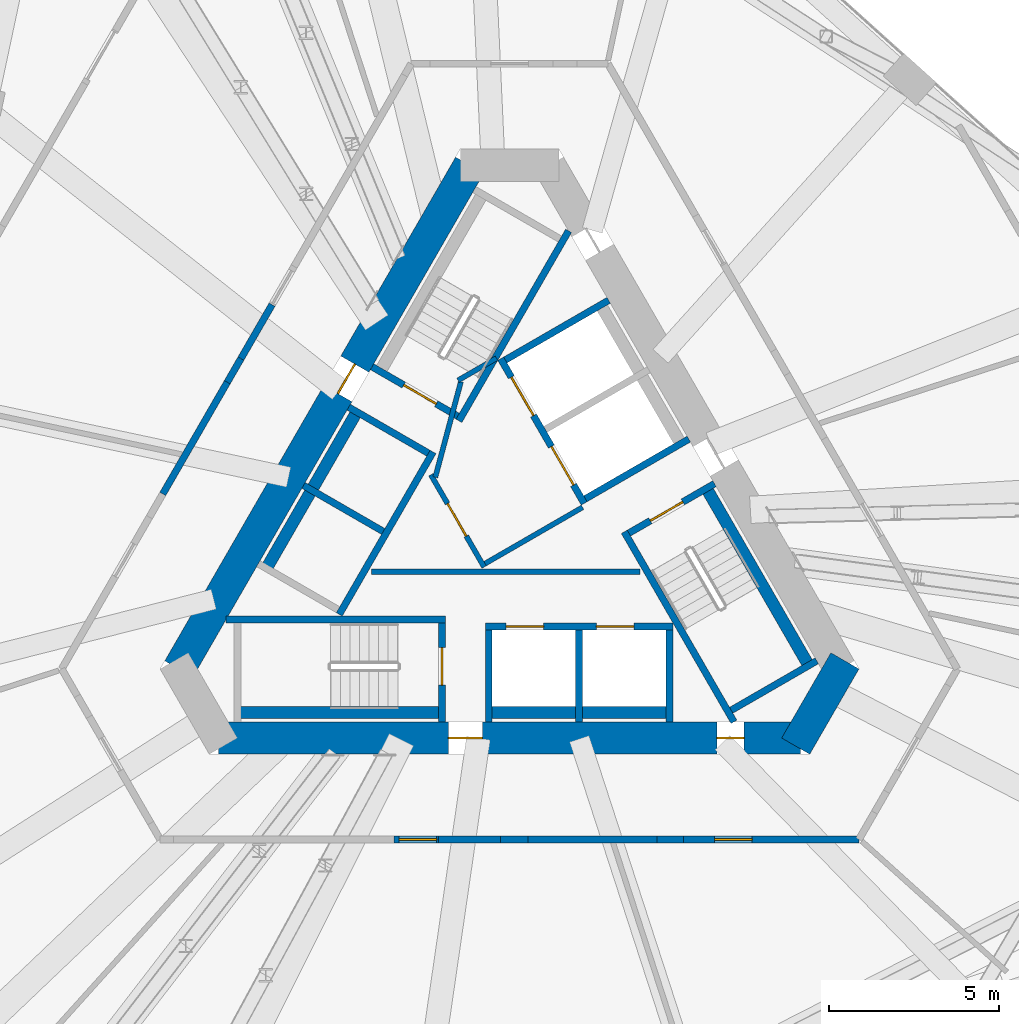
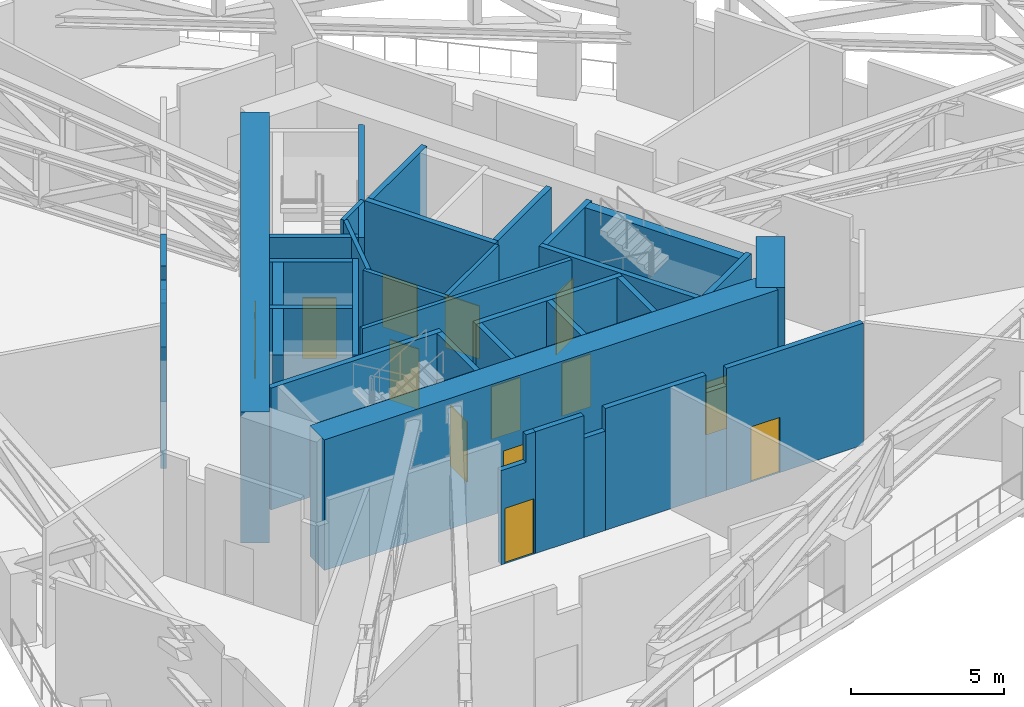
# One storey, part 15 of 24: 38 walls, 13 doors, 13 openings.
"""IFC4 building model written with IfcOpenShell, lengths in metres."""

from ifc_helpers import new_model, si_unit, direction, frame, frame_2d, origin, place, context, subcontext, project, spatial, polyline, rectangle, outline, extrude, material, layer, layer_set, type_object, element, fill, save


model = new_model("IFC4")

# Units and contexts
model_context = context("Model", 3, precision=1e-05, world=origin(), true_north=direction((0.0, 1.0)))
body_context = subcontext(model_context, "Body", "Model", "MODEL_VIEW")
ifc_project = project(units=[si_unit("LENGTHUNIT", "METRE"), si_unit("AREAUNIT", "SQUARE_METRE"), si_unit("VOLUMEUNIT", "CUBIC_METRE"), si_unit("PLANEANGLEUNIT", "RADIAN"), si_unit("MASSUNIT", "GRAM", prefix="KILO")], contexts=[model_context])

# Site, building, storey
site_placement = place(None, origin())
site = spatial("IfcSite", under=ifc_project, at=site_placement, CompositionType="ELEMENT")
building_placement = place(site_placement, origin())
building = spatial("IfcBuilding", under=site, at=building_placement, Name="Tramontana Tower", CompositionType="ELEMENT")
storey_placement = place(building_placement, frame((0.0, 0.0, 120.39990234375)))
storey = spatial("IfcBuildingStorey", under=building, at=storey_placement, Name="L27", CompositionType="ELEMENT", Elevation=120.39990234375)

# Wall, opening, door
ifc_material_1 = material(Name="Concrete 70 MPa", Category="concrete")
ifc_layer_1 = layer(ifc_material_1, 0.949951171875)
ifc_layer_set_1 = layer_set([ifc_layer_1], Name="Core wall 950 70 MPa")
wall_type_1 = type_object("IfcWallType", Name="Core wall 950 70 MPa", PredefinedType="SHEAR", material=ifc_layer_set_1)
wall_1_placement = place(storey_placement, frame((-1.169189453125, 10.52490234375, 0.0), z_axis=(0.0, 0.0, 1.0), x_axis=(-0.499999102847, -0.866025921755, 0.0)))
wall_1 = element("IfcWall", 1, at=wall_1_placement, inside=storey, type_object=wall_type_1, Name="Core wall C1 L27", PredefinedType="SHEAR", context=body_context, shape_type="SweptSolid", body=[
    extrude(rectangle(XDim=17.060546875, YDim=0.949951171875, at=frame_2d((8.5302734375, 0.0))), origin(), (0.0, 0.0, 1.0), 5.2001953125),
])
opening_1_placement = place(wall_1_placement, frame((6.7353515625, 0.0, 0.0)))
opening_1 = element("IfcOpeningElement", 2, at=opening_1_placement, cuts=wall_1, Name="Opening RG1", PredefinedType="OPENING", context=body_context, shape_type="SweptSolid", body=[
    extrude(rectangle(XDim=1.0, YDim=2.39990234375, at=frame_2d((0.5, 1.199951171875))), frame((0.0, 0.48486328125, 0.0), z_axis=(0.0, -1.0, 0.0), x_axis=(1.0, 0.0, 0.0)), (0.0, 0.0, 1.0), 0.969970703125),
])
ifc_material_2 = material(Name="Painted steel", Category="steel")
door_type_1 = type_object("IfcDoorType", Name="RING DOOR 1000", OperationType="SINGLE_SWING_LEFT", PredefinedType="DOOR", material=ifc_material_2)
door_1_placement = place(opening_1_placement, origin())
door_1 = element("IfcDoor", 3, at=door_1_placement, inside=storey, type_object=door_type_1, Name="Door RG1", OperationType="SINGLE_SWING_RIGHT", OverallHeight=2.39990234375, OverallWidth=1.0, PredefinedType="DOOR", context=body_context, shape_type="SweptSolid", body=[
    extrude(rectangle(XDim=1.0, YDim=2.39990234375, at=frame_2d((0.5, 1.199951171875))), frame((0.0, 0.02490234375, 0.0), z_axis=(0.0, -1.0, 0.0), x_axis=(1.0, 0.0, 0.0)), (0.0, 0.0, 1.0), 0.050048828125),
])
fill(opening_1, door_1)

# Wall, openings, doors
wall_2_placement = place(storey_placement, frame((-8.530517578125, -6.27490234375, 0.0), z_axis=(0.0, 0.0, 1.0), x_axis=(1.0, 0.0, 0.0)))
wall_2 = element("IfcWall", 4, at=wall_2_placement, inside=storey, type_object=wall_type_1, Name="Core wall C3 L27", PredefinedType="SHEAR", context=body_context, shape_type="SweptSolid", body=[
    extrude(rectangle(XDim=17.06103515625, YDim=0.949951171875, at=frame_2d((8.530517578125, 0.0))), origin(), (0.0, 0.0, 1.0), 5.2001953125),
])
opening_2_placement = place(wall_2_placement, frame((6.7353515625, 0.0, 0.0)))
opening_2 = element("IfcOpeningElement", 5, at=opening_2_placement, cuts=wall_2, Name="Opening RG2", PredefinedType="OPENING", context=body_context, shape_type="SweptSolid", body=[
    extrude(rectangle(XDim=1.0, YDim=2.39990234375, at=frame_2d((0.5, 1.199951171875))), frame((0.0, 0.48486328125, 0.0), z_axis=(0.0, -1.0, 0.0), x_axis=(1.0, 0.0, 0.0)), (0.0, 0.0, 1.0), 0.969970703125),
])
opening_3_placement = place(wall_2_placement, frame((14.61279296875, 0.0, 0.0)))
opening_3 = element("IfcOpeningElement", 6, at=opening_3_placement, cuts=wall_2, Name="Opening PD2", PredefinedType="OPENING", context=body_context, shape_type="SweptSolid", body=[
    extrude(rectangle(XDim=0.800048828125, YDim=2.10009765625, at=frame_2d((0.39990234375, 1.050048828125))), frame((0.0, 0.48486328125, 0.0), z_axis=(0.0, -1.0, 0.0), x_axis=(1.0, 0.0, 0.0)), (0.0, 0.0, 1.0), 0.969970703125),
])
ifc_material_3 = material(Name="Painted steel", Category="steel")
door_type_2 = type_object("IfcDoorType", Name="CUPBOARD DOOR 800", OperationType="SINGLE_SWING_LEFT", PredefinedType="DOOR", material=ifc_material_3)
door_2_placement = place(opening_3_placement, origin())
door_2 = element("IfcDoor", 7, at=door_2_placement, inside=storey, type_object=door_type_2, Name="Door PD2", OperationType="SINGLE_SWING_LEFT", OverallHeight=2.10009765625, OverallWidth=0.800048828125, PredefinedType="DOOR", context=body_context, shape_type="SweptSolid", body=[
    extrude(rectangle(XDim=0.800048828125, YDim=2.10009765625, at=frame_2d((0.39990234375, 1.050048828125))), frame((0.0, 0.02490234375, 0.0), z_axis=(0.0, -1.0, 0.0), x_axis=(1.0, 0.0, 0.0)), (0.0, 0.0, 1.0), 0.050048828125),
])
fill(opening_3, door_2)
door_3_placement = place(opening_2_placement, origin())
door_3 = element("IfcDoor", 8, at=door_3_placement, inside=storey, type_object=door_type_1, Name="Door RG2", OperationType="SINGLE_SWING_LEFT", OverallHeight=2.39990234375, OverallWidth=1.0, PredefinedType="DOOR", context=body_context, shape_type="SweptSolid", body=[
    extrude(rectangle(XDim=1.0, YDim=2.39990234375, at=frame_2d((0.5, 1.199951171875))), frame((0.0, 0.02490234375, 0.0), z_axis=(0.0, -1.0, 0.0), x_axis=(1.0, 0.0, 0.0)), (0.0, 0.0, 1.0), 0.050048828125),
])
fill(opening_2, door_3)

# Wall
wall_3_placement = place(storey_placement, frame((8.393310546875, -6.512451171875, 0.0), z_axis=(0.0, 0.0, 1.0), x_axis=(0.499995765644, 0.866027848477, 0.0)))
element("IfcWall", 9, at=wall_3_placement, inside=storey, type_object=wall_type_1, Name="Core wall C4 L27", PredefinedType="SHEAR", context=body_context, shape_type="SweptSolid", body=[
    extrude(rectangle(XDim=2.88671875, YDim=0.949951171875, at=frame_2d((1.443359375, 0.0))), origin(), (0.0, 0.0, 1.0), 5.2001953125),
])

# Wall, opening, door
ifc_material_4 = material(Name="Blockwork", Category="masonry")
ifc_layer_2 = layer(ifc_material_4, 0.199951171875)
ifc_layer_set_2 = layer_set([ifc_layer_2], Name="ENTRY WALL 200")
wall_type_2 = type_object("IfcWallType", Name="ENTRY WALL 200", PredefinedType="SOLIDWALL", material=ifc_layer_set_2)
wall_4_placement = place(storey_placement, frame((10.248046875, -9.25, 0.0), z_axis=(0.0, 0.0, 1.0), x_axis=(-1.0, 0.0, 0.0)))
wall_4 = element("IfcWall", 10, at=wall_4_placement, inside=storey, type_object=wall_type_2, Name="Wall ew2-0", PredefinedType="SOLIDWALL", context=body_context, shape_type="SweptSolid", body=[
    extrude(rectangle(XDim=5.14208984375, YDim=0.199951171875, at=frame_2d((2.571044921875, 0.0))), origin(), (0.0, 0.0, 1.0), 4.85009765625),
])
opening_4_placement = place(wall_4_placement, frame((3.1357421875, 0.0, 0.0)))
opening_4 = element("IfcOpeningElement", 11, at=opening_4_placement, cuts=wall_4, Name="Opening L27-08", PredefinedType="OPENING", context=body_context, shape_type="SweptSolid", body=[
    extrude(rectangle(XDim=1.10009765625, YDim=2.199951171875, at=frame_2d((0.550048828125, 1.10009765625))), frame((0.0, 0.10986328125, 0.0), z_axis=(0.0, -1.0, 0.0), x_axis=(1.0, 0.0, 0.0)), (0.0, 0.0, 1.0), 0.219970703125),
])
ifc_material_5 = material(Name="Painted steel", Category="steel")
door_type_3 = type_object("IfcDoorType", Name="PLANT DOOR 1100", OperationType="SINGLE_SWING_LEFT", PredefinedType="DOOR", material=ifc_material_5)
door_4_placement = place(opening_4_placement, origin())
door_4 = element("IfcDoor", 12, at=door_4_placement, inside=storey, type_object=door_type_3, Name="Door L27-08", OperationType="SINGLE_SWING_RIGHT", OverallHeight=2.199951171875, OverallWidth=1.10009765625, PredefinedType="DOOR", context=body_context, shape_type="SweptSolid", body=[
    extrude(rectangle(XDim=1.10009765625, YDim=2.199951171875, at=frame_2d((0.550048828125, 1.10009765625))), frame((0.0, 0.02490234375, 0.0), z_axis=(0.0, -1.0, 0.0), x_axis=(1.0, 0.0, 0.0)), (0.0, 0.0, 1.0), 0.050048828125),
])
fill(opening_4, door_4)

# Walls
wall_5_placement = place(storey_placement, frame((5.10595703125, -9.25, 0.0), z_axis=(0.0, 0.0, 1.0), x_axis=(-1.0, 0.0, 0.0)))
element("IfcWall", 13, at=wall_5_placement, inside=storey, type_object=wall_type_2, Name="Wall ew2-1", PredefinedType="SOLIDWALL", context=body_context, shape_type="SweptSolid", body=[
    extrude(rectangle(XDim=0.78564453125, YDim=0.199951171875, at=frame_2d((0.392822265625, 0.0))), origin(), (0.0, 0.0, 1.0), 4.150146484375),
])
wall_6_placement = place(storey_placement, frame((4.3203125, -9.25, 0.0), z_axis=(0.0, 0.0, 1.0), x_axis=(-1.0, 0.0, 0.0)))
element("IfcWall", 14, at=wall_6_placement, inside=storey, type_object=wall_type_2, Name="Wall ew2-2", PredefinedType="SOLIDWALL", context=body_context, shape_type="SweptSolid", body=[
    extrude(rectangle(XDim=3.783203125, YDim=0.199951171875, at=frame_2d((1.8916015625, 0.0))), origin(), (0.0, 0.0, 1.0), 4.85009765625),
])
wall_7_placement = place(storey_placement, frame((0.537109375, -9.25, 0.0), z_axis=(0.0, 0.0, 1.0), x_axis=(-1.0, 0.0, 0.0)))
element("IfcWall", 15, at=wall_7_placement, inside=storey, type_object=wall_type_2, Name="Wall ew2-3", PredefinedType="SOLIDWALL", context=body_context, shape_type="SweptSolid", body=[
    extrude(rectangle(XDim=0.800048828125, YDim=0.199951171875, at=frame_2d((0.39990234375, 0.0))), origin(), (0.0, 0.0, 1.0), 3.9501953125),
])
wall_8_placement = place(storey_placement, frame((-0.262939453125, -9.25, 0.0), z_axis=(0.0, 0.0, 1.0), x_axis=(-1.0, 0.0, 0.0)))
element("IfcWall", 16, at=wall_8_placement, inside=storey, type_object=wall_type_2, Name="Wall ew2-4", PredefinedType="SOLIDWALL", context=body_context, shape_type="SweptSolid", body=[
    extrude(rectangle(XDim=1.82763671875, YDim=0.199951171875, at=frame_2d((0.913818359375, 0.0))), origin(), (0.0, 0.0, 1.0), 4.85009765625),
])

# Wall, opening, door
wall_9_placement = place(storey_placement, frame((-2.090576171875, -9.25, 0.0), z_axis=(0.0, 0.0, 1.0), x_axis=(-1.0, 0.0, 0.0)))
wall_9 = element("IfcWall", 17, at=wall_9_placement, inside=storey, type_object=wall_type_2, Name="Wall ew2-5", PredefinedType="SOLIDWALL", context=body_context, shape_type="SweptSolid", body=[
    extrude(outline(polyline([(0.0, 0.0), (1.294189453125, 0.0), (1.294189453125, 3.75), (0.3505859375, 3.75), (0.3505859375, 4.85009765625), (0.0, 4.85009765625), (0.0, 0.0)])), frame((0.0, 0.10009765625, 0.0), z_axis=(0.0, -1.0, 0.0), x_axis=(1.0, 0.0, 0.0)), (0.0, 0.0, 1.0), 0.199951171875),
])
opening_5_placement = place(wall_9_placement, frame((0.050048828125, 0.0, 0.0)))
opening_5 = element("IfcOpeningElement", 18, at=opening_5_placement, cuts=wall_9, Name="Opening L27-07", PredefinedType="OPENING", context=body_context, shape_type="SweptSolid", body=[
    extrude(rectangle(XDim=1.10009765625, YDim=2.199951171875, at=frame_2d((0.550048828125, 1.10009765625))), frame((0.0, 0.10986328125, 0.0), z_axis=(0.0, -1.0, 0.0), x_axis=(1.0, 0.0, 0.0)), (0.0, 0.0, 1.0), 0.219970703125),
])
door_5_placement = place(opening_5_placement, origin())
door_5 = element("IfcDoor", 19, at=door_5_placement, inside=storey, type_object=door_type_3, Name="Door L27-07", OperationType="SINGLE_SWING_LEFT", OverallHeight=2.199951171875, OverallWidth=1.10009765625, PredefinedType="DOOR", context=body_context, shape_type="SweptSolid", body=[
    extrude(rectangle(XDim=1.10009765625, YDim=2.199951171875, at=frame_2d((0.550048828125, 1.10009765625))), frame((0.0, 0.02490234375, 0.0), z_axis=(0.0, -1.0, 0.0), x_axis=(1.0, 0.0, 0.0)), (0.0, 0.0, 1.0), 0.050048828125),
])
fill(opening_5, door_5)

# Walls
wall_10_placement = place(storey_placement, frame((-10.1708984375, 0.883544921875, 0.0), z_axis=(0.0, 0.0, 1.0), x_axis=(0.499998034377, 0.866026538634, 0.0)))
element("IfcWall", 20, at=wall_10_placement, inside=storey, type_object=wall_type_2, Name="Wall ew4-2", PredefinedType="SOLIDWALL", context=body_context, shape_type="SweptSolid", body=[
    extrude(rectangle(XDim=3.783203125, YDim=0.199951171875, at=frame_2d((1.8916015625, 0.0))), origin(), (0.0, 0.0, 1.0), 4.85009765625),
])
wall_11_placement = place(storey_placement, frame((-8.279296875, 4.159912109375, 0.0), z_axis=(0.0, 0.0, 1.0), x_axis=(0.500109828528, 0.865961984968, 0.0)))
element("IfcWall", 21, at=wall_11_placement, inside=storey, type_object=wall_type_2, Name="Wall ew4-3", PredefinedType="SOLIDWALL", context=body_context, shape_type="SweptSolid", body=[
    extrude(rectangle(XDim=0.800048828125, YDim=0.199951171875, at=frame_2d((0.39990234375, 0.0))), origin(), (0.0, 0.0, 1.0), 3.9501953125),
])
wall_12_placement = place(storey_placement, frame((-7.879150390625, 4.852783203125, 0.0), z_axis=(0.0, 0.0, 1.0), x_axis=(0.499961475795, 0.866047644602, 0.0)))
element("IfcWall", 22, at=wall_12_placement, inside=storey, type_object=wall_type_2, Name="Wall ew4-4", PredefinedType="SOLIDWALL", context=body_context, shape_type="SweptSolid", body=[
    extrude(rectangle(XDim=1.827392578125, YDim=0.199951171875, at=frame_2d((0.91357421875, 0.0))), origin(), (0.0, 0.0, 1.0), 4.85009765625),
])

# Wall, opening, door
ifc_material_6 = material(Name="Gypsum board partition")
ifc_layer_3 = layer(ifc_material_6, 0.14990234375)
ifc_layer_set_3 = layer_set([ifc_layer_3], Name="PARTITION 150")
wall_type_3 = type_object("IfcWallType", Name="PARTITION 150", PredefinedType="PARTITIONING", material=ifc_layer_set_3)
wall_13_placement = place(storey_placement, frame((-0.744140625, -1.260986328125, 0.0), z_axis=(0.0, 0.0, 1.0), x_axis=(-0.500004234368, 0.866022959057, 0.0)))
wall_13 = element("IfcWall", 23, at=wall_13_placement, inside=storey, type_object=wall_type_3, Name="Wall ff-front", PredefinedType="PARTITIONING", context=body_context, shape_type="SweptSolid", body=[
    extrude(rectangle(XDim=3.125, YDim=0.14990234375, at=frame_2d((1.5625, 0.0))), origin(), (0.0, 0.0, 1.0), 4.85009765625),
])
opening_6_placement = place(wall_13_placement, frame((1.050048828125, 0.0, 0.0)))
opening_6 = element("IfcOpeningElement", 24, at=opening_6_placement, cuts=wall_13, Name="Opening FD1", PredefinedType="OPENING", context=body_context, shape_type="SweptSolid", body=[
    extrude(rectangle(XDim=1.10009765625, YDim=2.39990234375, at=frame_2d((0.550048828125, 1.199951171875))), frame((0.0, 0.0849609375, 0.0), z_axis=(0.0, -1.0, 0.0), x_axis=(1.0, 0.0, 0.0)), (0.0, 0.0, 1.0), 0.169921875),
])
ifc_material_7 = material(Name="Painted timber", Category="wood")
door_type_4 = type_object("IfcDoorType", Name="DOOR ENTRY 1100", OperationType="SINGLE_SWING_LEFT", PredefinedType="DOOR", material=ifc_material_7)
door_6_placement = place(opening_6_placement, origin())
door_6 = element("IfcDoor", 25, at=door_6_placement, inside=storey, type_object=door_type_4, Name="Door FD1", OperationType="SINGLE_SWING_LEFT", OverallHeight=2.39990234375, OverallWidth=1.10009765625, PredefinedType="DOOR", context=body_context, shape_type="SweptSolid", body=[
    extrude(rectangle(XDim=1.10009765625, YDim=2.39990234375, at=frame_2d((0.550048828125, 1.199951171875))), frame((0.0, 0.02490234375, 0.0), z_axis=(0.0, -1.0, 0.0), x_axis=(1.0, 0.0, 0.0)), (0.0, 0.0, 1.0), 0.050048828125),
])
fill(opening_6, door_6)

# Walls
wall_14_placement = place(storey_placement, frame((-0.716796875, -1.15869140625, 0.0), z_axis=(0.0, 0.0, 1.0), x_axis=(0.866008176907, 0.50002983664, 0.0)))
element("IfcWall", 26, at=wall_14_placement, inside=storey, type_object=wall_type_3, Name="Wall ff-end0", PredefinedType="PARTITIONING", context=body_context, shape_type="SweptSolid", body=[
    extrude(rectangle(XDim=3.300048828125, YDim=0.14990234375, at=frame_2d((1.64990234375, 0.0))), origin(), (0.0, 0.0, 1.0), 4.85009765625),
])
wall_15_placement = place(storey_placement, frame((-2.177978515625, 1.372314453125, 0.0), z_axis=(0.0, 0.0, 1.0), x_axis=(0.258808958833, 0.96592852884, 0.0)))
element("IfcWall", 27, at=wall_15_placement, inside=storey, type_object=wall_type_3, Name="Wall ff-diag", PredefinedType="PARTITIONING", context=body_context, shape_type="SweptSolid", body=[
    extrude(rectangle(XDim=2.902587890625, YDim=0.14990234375, at=frame_2d((1.451171875, 0.0))), origin(), (0.0, 0.0, 1.0), 4.85009765625),
])
wall_16_placement = place(storey_placement, frame((-1.509765625, 4.21484375, 0.0), z_axis=(0.0, 0.0, 1.0), x_axis=(0.866085525409, 0.49989585183, 0.0)))
element("IfcWall", 28, at=wall_16_placement, inside=storey, type_object=wall_type_3, Name="Wall ff-end1", PredefinedType="PARTITIONING", context=body_context, shape_type="SweptSolid", body=[
    extrude(rectangle(XDim=1.300048828125, YDim=0.14990234375, at=frame_2d((0.64990234375, 0.0))), origin(), (0.0, 0.0, 1.0), 4.85009765625),
])
wall_17_placement = place(storey_placement, frame((-4.053466796875, -1.39990234375, 0.0), z_axis=(0.0, 0.0, 1.0), x_axis=(1.0, 0.0, 0.0)))
element("IfcWall", 29, at=wall_17_placement, inside=storey, type_object=wall_type_3, Name="Wall hub-cut1", PredefinedType="PARTITIONING", context=body_context, shape_type="SweptSolid", body=[
    extrude(rectangle(XDim=7.8759765625, YDim=0.14990234375, at=frame_2d((3.93798828125, 0.0))), origin(), (0.0, 0.0, 1.0), 4.85009765625),
])
ifc_material_8 = material(Name="Concrete 70 MPa", Category="concrete")
ifc_layer_4 = layer(ifc_material_8, 0.35009765625)
ifc_layer_set_4 = layer_set([ifc_layer_4], Name="Concrete 70 MPa, 350 mm")
wall_type_4 = type_object("IfcWallType", Name="RC SHAFT BACK WALL 350", PredefinedType="SOLIDWALL", material=ifc_layer_set_4)
wall_18_placement = place(storey_placement, frame((-8.080078125, -5.52490234375, 0.0), z_axis=(0.0, 0.0, 1.0), x_axis=(1.0, 0.0, 0.0)))
element("IfcWall", 30, at=wall_18_placement, inside=storey, type_object=wall_type_4, Name="Wall st2-back", PredefinedType="SOLIDWALL", context=body_context, shape_type="SweptSolid", body=[
    extrude(rectangle(XDim=6.2001953125, YDim=0.35009765625, at=frame_2d((3.10009765625, 0.0))), origin(), (0.0, 0.0, 1.0), 4.85009765625),
])
wall_19_placement = place(storey_placement, frame((8.82470703125, -4.23486328125, 0.0), z_axis=(0.0, 0.0, 1.0), x_axis=(-0.499997426962, 0.866026889324, 0.0)))
element("IfcWall", 31, at=wall_19_placement, inside=storey, type_object=wall_type_4, Name="Wall st3-back", PredefinedType="SOLIDWALL", context=body_context, shape_type="SweptSolid", body=[
    extrude(rectangle(XDim=6.19970703125, YDim=0.35009765625, at=frame_2d((3.099853515625, 0.0))), origin(), (0.0, 0.0, 1.0), 4.85009765625),
])
for number, where, z_axis, x_axis, name in (
    (32, (-4.4296875, 3.37744140625, 0.0), (0.0, 0.0, 1.0), (-0.499996545922, -0.866027397988, 0.0), "Wall row0-back"),
    (33, (-0.7099609375, -5.52490234375, 0.0), (0.0, 0.0, 1.0), (1.0, 0.0, 0.0), "Wall row1-back"),
):
    element("IfcWall", number, at=place(storey_placement, frame(where, z_axis=z_axis, x_axis=x_axis)), inside=storey, type_object=wall_type_4, Name=name, PredefinedType="SOLIDWALL", context=body_context, shape_type="SweptSolid", body=[
        extrude(rectangle(XDim=5.5, YDim=0.35009765625, at=frame_2d((2.75, 0.0))), origin(), (0.0, 0.0, 1.0), 4.85009765625),
    ])
ifc_material_9 = material(Name="Concrete 70 MPa", Category="concrete")
ifc_layer_5 = layer(ifc_material_9, 0.199951171875)
ifc_layer_set_5 = layer_set([ifc_layer_5], Name="Concrete 70 MPa, 200 mm")
wall_type_5 = type_object("IfcWallType", Name="RC STAIR AND SHAFT WALL 200", PredefinedType="SOLIDWALL", material=ifc_layer_set_5)
wall_20_placement = place(storey_placement, frame((1.73193359375, 8.60009765625, 0.0), z_axis=(0.0, 0.0, 1.0), x_axis=(-0.499975376872, -0.866039619487, 0.0)))
element("IfcWall", 34, at=wall_20_placement, inside=storey, type_object=wall_type_5, Name="Wall st1-front", PredefinedType="SOLIDWALL", context=body_context, shape_type="SweptSolid", body=[
    extrude(rectangle(XDim=6.433837890625, YDim=0.199951171875, at=frame_2d((3.216796875, 0.0))), origin(), (0.0, 0.0, 1.0), 4.85009765625),
])

# Wall, opening, door
wall_21_placement = place(storey_placement, frame((-1.521484375, 3.164794921875, 0.0), z_axis=(0.0, 0.0, 1.0), x_axis=(-0.866032775405, 0.499987231761, 0.0)))
wall_21 = element("IfcWall", 35, at=wall_21_placement, inside=storey, type_object=wall_type_5, Name="Wall st1-near", PredefinedType="SOLIDWALL", context=body_context, shape_type="SweptSolid", body=[
    extrude(rectangle(XDim=2.89990234375, YDim=0.199951171875, at=frame_2d((1.449951171875, 0.0))), origin(), (0.0, 0.0, 1.0), 4.85009765625),
])
opening_7_placement = place(wall_21_placement, frame((0.72509765625, 0.0, 0.0)))
opening_7 = element("IfcOpeningElement", 36, at=opening_7_placement, cuts=wall_21, Name="Opening SD1", PredefinedType="OPENING", context=body_context, shape_type="SweptSolid", body=[
    extrude(rectangle(XDim=1.10009765625, YDim=2.39990234375, at=frame_2d((0.550048828125, 1.199951171875))), frame((0.0, 0.10986328125, 0.0), z_axis=(0.0, -1.0, 0.0), x_axis=(1.0, 0.0, 0.0)), (0.0, 0.0, 1.0), 0.219970703125),
])
ifc_material_10 = material(Name="Painted steel", Category="steel")
door_type_5 = type_object("IfcDoorType", Name="STAIR DOOR 1100", OperationType="SINGLE_SWING_LEFT", PredefinedType="DOOR", material=ifc_material_10)
door_7_placement = place(opening_7_placement, origin())
door_7 = element("IfcDoor", 37, at=door_7_placement, inside=storey, type_object=door_type_5, Name="Door SD1", OperationType="SINGLE_SWING_RIGHT", OverallHeight=2.39990234375, OverallWidth=1.10009765625, PredefinedType="DOOR", context=body_context, shape_type="SweptSolid", body=[
    extrude(rectangle(XDim=1.10009765625, YDim=2.39990234375, at=frame_2d((0.550048828125, 1.199951171875))), frame((0.0, 0.02490234375, 0.0), z_axis=(0.0, -1.0, 0.0), x_axis=(1.0, 0.0, 0.0)), (0.0, 0.0, 1.0), 0.050048828125),
])
fill(opening_7, door_7)

# Wall
wall_22_placement = place(storey_placement, frame((-8.31396484375, -2.800048828125, 0.0), z_axis=(0.0, 0.0, 1.0), x_axis=(1.0, 0.0, 0.0)))
element("IfcWall", 38, at=wall_22_placement, inside=storey, type_object=wall_type_5, Name="Wall st2-front", PredefinedType="SOLIDWALL", context=body_context, shape_type="SweptSolid", body=[
    extrude(rectangle(XDim=6.43408203125, YDim=0.199951171875, at=frame_2d((3.217041015625, 0.0))), origin(), (0.0, 0.0, 1.0), 4.85009765625),
])

# Wall, opening, door
wall_23_placement = place(storey_placement, frame((-1.97998046875, -2.89990234375, 0.0), z_axis=(0.0, 0.0, 1.0), x_axis=(0.0, -1.0, 0.0)))
wall_23 = element("IfcWall", 39, at=wall_23_placement, inside=storey, type_object=wall_type_5, Name="Wall st2-near", PredefinedType="SOLIDWALL", context=body_context, shape_type="SweptSolid", body=[
    extrude(rectangle(XDim=2.900146484375, YDim=0.199951171875, at=frame_2d((1.4501953125, 0.0))), origin(), (0.0, 0.0, 1.0), 4.85009765625),
])
opening_8_placement = place(wall_23_placement, frame((0.72509765625, 0.0, 0.0)))
opening_8 = element("IfcOpeningElement", 40, at=opening_8_placement, cuts=wall_23, Name="Opening SD2", PredefinedType="OPENING", context=body_context, shape_type="SweptSolid", body=[
    extrude(rectangle(XDim=1.10009765625, YDim=2.39990234375, at=frame_2d((0.550048828125, 1.199951171875))), frame((0.0, 0.10986328125, 0.0), z_axis=(0.0, -1.0, 0.0), x_axis=(1.0, 0.0, 0.0)), (0.0, 0.0, 1.0), 0.219970703125),
])
door_8_placement = place(opening_8_placement, origin())
door_8 = element("IfcDoor", 41, at=door_8_placement, inside=storey, type_object=door_type_5, Name="Door SD2", OperationType="SINGLE_SWING_LEFT", OverallHeight=2.39990234375, OverallWidth=1.10009765625, PredefinedType="DOOR", context=body_context, shape_type="SweptSolid", body=[
    extrude(rectangle(XDim=1.10009765625, YDim=2.39990234375, at=frame_2d((0.550048828125, 1.199951171875))), frame((0.0, 0.02490234375, 0.0), z_axis=(0.0, -1.0, 0.0), x_axis=(1.0, 0.0, 0.0)), (0.0, 0.0, 1.0), 0.050048828125),
])
fill(opening_8, door_8)

# Walls
wall_24_placement = place(storey_placement, frame((6.581787109375, -5.800048828125, 0.0), z_axis=(0.0, 0.0, 1.0), x_axis=(-0.499975376872, 0.866039619487, 0.0)))
element("IfcWall", 42, at=wall_24_placement, inside=storey, type_object=wall_type_5, Name="Wall st3-front", PredefinedType="SOLIDWALL", context=body_context, shape_type="SweptSolid", body=[
    extrude(rectangle(XDim=6.433837890625, YDim=0.199951171875, at=frame_2d((3.216796875, 0.0))), origin(), (0.0, 0.0, 1.0), 4.85009765625),
])
wall_25_placement = place(storey_placement, frame((6.50146484375, -5.4609375, 0.0), z_axis=(0.0, 0.0, 1.0), x_axis=(0.866032775405, 0.499987231761, 0.0)))
element("IfcWall", 43, at=wall_25_placement, inside=storey, type_object=wall_type_5, Name="Wall st3-far", PredefinedType="SOLIDWALL", context=body_context, shape_type="SweptSolid", body=[
    extrude(rectangle(XDim=2.89990234375, YDim=0.199951171875, at=frame_2d((1.449951171875, 0.0))), origin(), (0.0, 0.0, 1.0), 4.85009765625),
])

# Wall, opening, door
wall_26_placement = place(storey_placement, frame((3.50146484375, -0.2646484375, 0.0), z_axis=(0.0, 0.0, 1.0), x_axis=(0.866032775405, 0.499987231761, 0.0)))
wall_26 = element("IfcWall", 44, at=wall_26_placement, inside=storey, type_object=wall_type_5, Name="Wall st3-near", PredefinedType="SOLIDWALL", context=body_context, shape_type="SweptSolid", body=[
    extrude(rectangle(XDim=2.89990234375, YDim=0.199951171875, at=frame_2d((1.449951171875, 0.0))), origin(), (0.0, 0.0, 1.0), 4.85009765625),
])
opening_9_placement = place(wall_26_placement, frame((0.72509765625, 0.0, 0.0)))
opening_9 = element("IfcOpeningElement", 45, at=opening_9_placement, cuts=wall_26, Name="Opening SD3", PredefinedType="OPENING", context=body_context, shape_type="SweptSolid", body=[
    extrude(rectangle(XDim=1.10009765625, YDim=2.39990234375, at=frame_2d((0.550048828125, 1.199951171875))), frame((0.0, 0.10986328125, 0.0), z_axis=(0.0, -1.0, 0.0), x_axis=(1.0, 0.0, 0.0)), (0.0, 0.0, 1.0), 0.219970703125),
])
door_9_placement = place(opening_9_placement, origin())
door_9 = element("IfcDoor", 46, at=door_9_placement, inside=storey, type_object=door_type_5, Name="Door SD3", OperationType="SINGLE_SWING_RIGHT", OverallHeight=2.39990234375, OverallWidth=1.10009765625, PredefinedType="DOOR", context=body_context, shape_type="SweptSolid", body=[
    extrude(rectangle(XDim=1.10009765625, YDim=2.39990234375, at=frame_2d((0.550048828125, 1.199951171875))), frame((0.0, 0.02490234375, 0.0), z_axis=(0.0, -1.0, 0.0), x_axis=(1.0, 0.0, 0.0)), (0.0, 0.0, 1.0), 0.050048828125),
])
fill(opening_9, door_9)

# Walls
wall_27_placement = place(storey_placement, frame((-2.2431640625, 2.114990234375, 0.0), z_axis=(0.0, 0.0, 1.0), x_axis=(-0.499996545922, -0.866027397988, 0.0)))
element("IfcWall", 47, at=wall_27_placement, inside=storey, type_object=wall_type_5, Name="Wall row0-front", PredefinedType="SOLIDWALL", context=body_context, shape_type="SweptSolid", body=[
    extrude(rectangle(XDim=5.5, YDim=0.199951171875, at=frame_2d((2.75, 0.0))), origin(), (0.0, 0.0, 1.0), 4.85009765625),
])
wall_28_placement = place(storey_placement, frame((-2.379638671875, 2.078369140625, 0.0), z_axis=(0.0, 0.0, 1.0), x_axis=(-0.866059108428, 0.4999416173, 0.0)))
element("IfcWall", 48, at=wall_28_placement, inside=storey, type_object=wall_type_5, Name="Wall row0-side0", PredefinedType="SOLIDWALL", context=body_context, shape_type="SweptSolid", body=[
    extrude(rectangle(XDim=2.699951171875, YDim=0.199951171875, at=frame_2d((1.35009765625, 0.0))), origin(), (0.0, 0.0, 1.0), 4.85009765625),
])
wall_29_placement = place(storey_placement, frame((-3.70458984375, -0.216796875, 0.0), z_axis=(0.0, 0.0, 1.0), x_axis=(-0.866019956843, 0.50000943426, 0.0)))
element("IfcWall", 49, at=wall_29_placement, inside=storey, type_object=wall_type_5, Name="Wall row0-side1", PredefinedType="SOLIDWALL", context=body_context, shape_type="SweptSolid", body=[
    extrude(rectangle(XDim=2.7001953125, YDim=0.199951171875, at=frame_2d((1.35009765625, 0.0))), origin(), (0.0, 0.0, 1.0), 4.85009765625),
])

# Wall, openings, doors
wall_30_placement = place(storey_placement, frame((-0.7099609375, -3.0, 0.0), z_axis=(0.0, 0.0, 1.0), x_axis=(1.0, 0.0, 0.0)))
wall_30 = element("IfcWall", 50, at=wall_30_placement, inside=storey, type_object=wall_type_5, Name="Wall row1-front", PredefinedType="SOLIDWALL", context=body_context, shape_type="SweptSolid", body=[
    extrude(rectangle(XDim=5.5, YDim=0.199951171875, at=frame_2d((2.75, 0.0))), origin(), (0.0, 0.0, 1.0), 4.85009765625),
])
opening_10_placement = place(wall_30_placement, frame((0.610107421875, 0.0, 0.0)))
opening_10 = element("IfcOpeningElement", 51, at=opening_10_placement, cuts=wall_30, Name="Opening LD-S1", PredefinedType="OPENING", context=body_context, shape_type="SweptSolid", body=[
    extrude(rectangle(XDim=1.10009765625, YDim=2.10009765625, at=frame_2d((0.550048828125, 1.050048828125))), frame((0.0, 0.10986328125, 0.0), z_axis=(0.0, -1.0, 0.0), x_axis=(1.0, 0.0, 0.0)), (0.0, 0.0, 1.0), 0.219970703125),
])
opening_11_placement = place(wall_30_placement, frame((3.260009765625, 0.0, 0.0)))
opening_11 = element("IfcOpeningElement", 52, at=opening_11_placement, cuts=wall_30, Name="Opening LD-S2", PredefinedType="OPENING", context=body_context, shape_type="SweptSolid", body=[
    extrude(rectangle(XDim=1.10009765625, YDim=2.10009765625, at=frame_2d((0.550048828125, 1.050048828125))), frame((0.0, 0.10986328125, 0.0), z_axis=(0.0, -1.0, 0.0), x_axis=(1.0, 0.0, 0.0)), (0.0, 0.0, 1.0), 0.219970703125),
])
ifc_material_11 = material(Name="Brushed steel", Category="steel")
door_type_6 = type_object("IfcDoorType", Name="LANDING DOOR 1100", OperationType="SINGLE_SWING_LEFT", PredefinedType="DOOR", material=ifc_material_11)
door_10_placement = place(opening_10_placement, origin())
door_10 = element("IfcDoor", 53, at=door_10_placement, inside=storey, type_object=door_type_6, Name="Door LD-S1", OperationType="SLIDING_TO_LEFT", OverallHeight=2.10009765625, OverallWidth=1.10009765625, PredefinedType="DOOR", context=body_context, shape_type="SweptSolid", body=[
    extrude(rectangle(XDim=1.10009765625, YDim=2.10009765625, at=frame_2d((0.550048828125, 1.050048828125))), frame((0.0, 0.02490234375, 0.0), z_axis=(0.0, -1.0, 0.0), x_axis=(1.0, 0.0, 0.0)), (0.0, 0.0, 1.0), 0.050048828125),
])
fill(opening_10, door_10)
door_11_placement = place(opening_11_placement, origin())
door_11 = element("IfcDoor", 54, at=door_11_placement, inside=storey, type_object=door_type_6, Name="Door LD-S2", OperationType="SLIDING_TO_RIGHT", OverallHeight=2.10009765625, OverallWidth=1.10009765625, PredefinedType="DOOR", context=body_context, shape_type="SweptSolid", body=[
    extrude(rectangle(XDim=1.10009765625, YDim=2.10009765625, at=frame_2d((0.550048828125, 1.050048828125))), frame((0.0, 0.02490234375, 0.0), z_axis=(0.0, -1.0, 0.0), x_axis=(1.0, 0.0, 0.0)), (0.0, 0.0, 1.0), 0.050048828125),
])
fill(opening_11, door_11)

# Walls
for number, where, z_axis, x_axis, name in (
    (55, (-0.610107421875, -3.10009765625, 0.0), (0.0, 0.0, 1.0), (0.0, -1.0, 0.0), "Wall row1-side0"),
    (56, (2.0400390625, -3.10009765625, 0.0), (0.0, 0.0, 1.0), (0.0, -1.0, 0.0), "Wall row1-side1"),
    (57, (4.68994140625, -3.10009765625, 0.0), (0.0, 0.0, 1.0), (0.0, -1.0, 0.0), "Wall row1-side2"),
):
    element("IfcWall", number, at=place(storey_placement, frame(where, z_axis=z_axis, x_axis=x_axis)), inside=storey, type_object=wall_type_5, Name=name, PredefinedType="SOLIDWALL", context=body_context, shape_type="SweptSolid", body=[
        extrude(rectangle(XDim=2.699951171875, YDim=0.199951171875, at=frame_2d((1.35009765625, 0.0))), origin(), (0.0, 0.0, 1.0), 4.85009765625),
    ])

# Wall, openings, doors
wall_31_placement = place(storey_placement, frame((2.190185546875, 0.6064453125, 0.0), z_axis=(0.0, 0.0, 1.0), x_axis=(-0.500002801628, 0.866023786258, 0.0)))
wall_31 = element("IfcWall", 58, at=wall_31_placement, inside=storey, type_object=wall_type_5, Name="Wall row2-front", PredefinedType="SOLIDWALL", context=body_context, shape_type="SweptSolid", body=[
    extrude(rectangle(XDim=4.89990234375, YDim=0.199951171875, at=frame_2d((2.449951171875, 0.0))), origin(), (0.0, 0.0, 1.0), 4.85009765625),
])
opening_12_placement = place(wall_31_placement, frame((0.625, 0.0, 0.0)))
opening_12 = element("IfcOpeningElement", 59, at=opening_12_placement, cuts=wall_31, Name="Opening LD-F1", PredefinedType="OPENING", context=body_context, shape_type="SweptSolid", body=[
    extrude(rectangle(XDim=1.300048828125, YDim=2.10009765625, at=frame_2d((0.64990234375, 1.050048828125))), frame((0.0, 0.10986328125, 0.0), z_axis=(0.0, -1.0, 0.0), x_axis=(1.0, 0.0, 0.0)), (0.0, 0.0, 1.0), 0.219970703125),
])
opening_13_placement = place(wall_31_placement, frame((2.97509765625, 0.0, 0.0)))
opening_13 = element("IfcOpeningElement", 60, at=opening_13_placement, cuts=wall_31, Name="Opening LD-F2", PredefinedType="OPENING", context=body_context, shape_type="SweptSolid", body=[
    extrude(rectangle(XDim=1.300048828125, YDim=2.10009765625, at=frame_2d((0.64990234375, 1.050048828125))), frame((0.0, 0.10986328125, 0.0), z_axis=(0.0, -1.0, 0.0), x_axis=(1.0, 0.0, 0.0)), (0.0, 0.0, 1.0), 0.219970703125),
])
ifc_material_12 = material(Name="Brushed steel", Category="steel")
door_type_7 = type_object("IfcDoorType", Name="LANDING DOOR 1300", OperationType="SINGLE_SWING_LEFT", PredefinedType="DOOR", material=ifc_material_12)
door_12_placement = place(opening_12_placement, origin())
door_12 = element("IfcDoor", 61, at=door_12_placement, inside=storey, type_object=door_type_7, Name="Door LD-F1", OperationType="SLIDING_TO_LEFT", OverallHeight=2.10009765625, OverallWidth=1.300048828125, PredefinedType="DOOR", context=body_context, shape_type="SweptSolid", body=[
    extrude(rectangle(XDim=1.300048828125, YDim=2.10009765625, at=frame_2d((0.64990234375, 1.050048828125))), frame((0.0, 0.02490234375, 0.0), z_axis=(0.0, -1.0, 0.0), x_axis=(1.0, 0.0, 0.0)), (0.0, 0.0, 1.0), 0.050048828125),
])
fill(opening_12, door_12)
door_13_placement = place(opening_13_placement, origin())
door_13 = element("IfcDoor", 62, at=door_13_placement, inside=storey, type_object=door_type_7, Name="Door LD-F2", OperationType="SLIDING_TO_RIGHT", OverallHeight=2.10009765625, OverallWidth=1.300048828125, PredefinedType="DOOR", context=body_context, shape_type="SweptSolid", body=[
    extrude(rectangle(XDim=1.300048828125, YDim=2.10009765625, at=frame_2d((0.64990234375, 1.050048828125))), frame((0.0, 0.02490234375, 0.0), z_axis=(0.0, -1.0, 0.0), x_axis=(1.0, 0.0, 0.0)), (0.0, 0.0, 1.0), 0.050048828125),
])
fill(opening_13, door_13)

# Walls
wall_32_placement = place(storey_placement, frame((2.226806640625, 0.742919921875, 0.0), z_axis=(0.0, 0.0, 1.0), x_axis=(0.866036909293, 0.499980071345, 0.0)))
element("IfcWall", 63, at=wall_32_placement, inside=storey, type_object=wall_type_5, Name="Wall row2-side0", PredefinedType="SOLIDWALL", context=body_context, shape_type="SweptSolid", body=[
    extrude(rectangle(XDim=3.500244140625, YDim=0.199951171875, at=frame_2d((1.75, 0.0))), origin(), (0.0, 0.0, 1.0), 4.85009765625),
])
wall_33_placement = place(storey_placement, frame((-0.123046875, 4.813232421875, 0.0), z_axis=(0.0, 0.0, 1.0), x_axis=(0.866019471182, 0.500010275428, 0.0)))
element("IfcWall", 64, at=wall_33_placement, inside=storey, type_object=wall_type_5, Name="Wall row2-side2", PredefinedType="SOLIDWALL", context=body_context, shape_type="SweptSolid", body=[
    extrude(rectangle(XDim=3.5, YDim=0.199951171875, at=frame_2d((1.75, 0.0))), origin(), (0.0, 0.0, 1.0), 4.85009765625),
])

save(model, "model.ifc")
